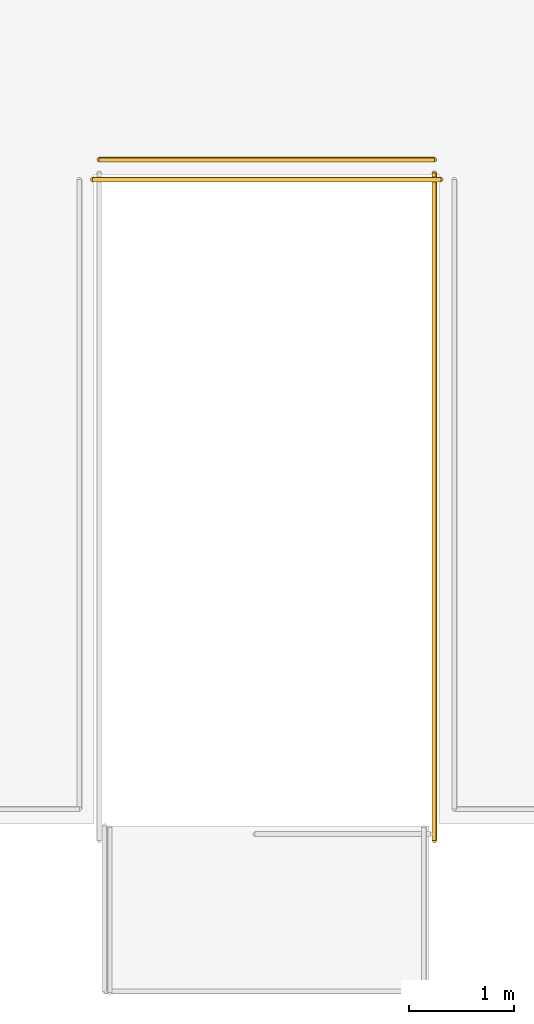
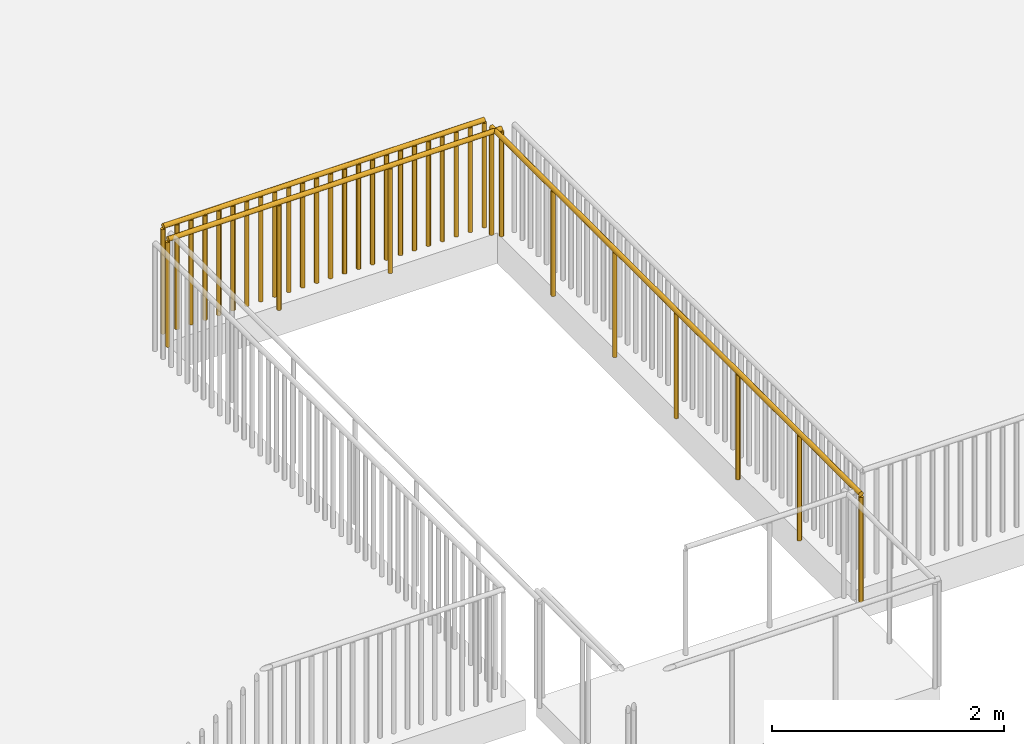
# One storey, part 30 of 42: 3 railings.
"""IFC4 building model written with IfcOpenShell, lengths in metres."""

from ifc_helpers import new_model, si_unit, direction, frame, origin, origin_2d, place, context, subcontext, project, spatial, circle, extrude, material, type_object, element, save


model = new_model("IFC4")

# Units and contexts
model_context = context("Model", 3, precision=1e-05, world=origin(), true_north=direction((0.0, 1.0)))
body_context = subcontext(model_context, "Body", "Model", "MODEL_VIEW")
ifc_project = project(units=[si_unit("LENGTHUNIT", "METRE"), si_unit("AREAUNIT", "SQUARE_METRE"), si_unit("VOLUMEUNIT", "CUBIC_METRE"), si_unit("PLANEANGLEUNIT", "RADIAN"), si_unit("MASSUNIT", "GRAM", prefix="KILO")], contexts=[model_context])

# Site, building, storey
site_placement = place(None, origin())
site = spatial("IfcSite", under=ifc_project, at=site_placement, CompositionType="ELEMENT")
building_placement = place(site_placement, origin())
building = spatial("IfcBuilding", under=site, at=building_placement, Name="Vanh Quang Courtyard School", CompositionType="ELEMENT")
storey_placement = place(building_placement, frame((0.0, 0.0, 15.0)))
storey = spatial("IfcBuildingStorey", under=building, at=storey_placement, Name="L04", CompositionType="ELEMENT", Elevation=15.0)

# Railings
ifc_material = material(Name="Galvanised painted steel EN 10025-2 S355J2", Category="steel")
railing_type = type_object("IfcRailingType", Name="RAIL-GUARD-1150", PredefinedType="BALUSTRADE", material=ifc_material)
railing_1_placement = place(storey_placement, frame((83.25, 38.739990234375, 0.0)))
element("IfcRailing", 1, at=railing_1_placement, inside=storey, type_object=railing_type, Name="Railing GR-01 (L04)", PredefinedType="BALUSTRADE", context=body_context, shape_type="SweptSolid", body=[
    extrude(circle(Radius=0.02392578125, at=origin_2d()), frame((0.0, 0.0, 1.1259765625), z_axis=(-1.0, 0.0, 0.0), x_axis=(0.0, -1.0, 0.0)), (0.0, 0.0, 1.0), 3.199951171875),
    extrude(circle(Radius=0.02099609375, at=origin_2d()), origin(), (0.0, 0.0, 1.0), 1.101806640625),
    extrude(circle(Radius=0.02099609375, at=origin_2d()), frame((-0.13916015625, 0.0, 0.0)), (0.0, 0.0, 1.0), 1.101806640625),
    extrude(circle(Radius=0.02099609375, at=origin_2d()), frame((-0.2783203125, 0.0, 0.0)), (0.0, 0.0, 1.0), 1.101806640625),
    extrude(circle(Radius=0.02099609375, at=origin_2d()), frame((-0.41748046875, 0.0, 0.0)), (0.0, 0.0, 1.0), 1.101806640625),
    extrude(circle(Radius=0.02099609375, at=origin_2d()), frame((-0.556396484375, 0.0, 0.0)), (0.0, 0.0, 1.0), 1.101806640625),
    extrude(circle(Radius=0.02099609375, at=origin_2d()), frame((-0.695556640625, 0.0, 0.0)), (0.0, 0.0, 1.0), 1.101806640625),
    extrude(circle(Radius=0.02099609375, at=origin_2d()), frame((-0.834716796875, 0.0, 0.0)), (0.0, 0.0, 1.0), 1.101806640625),
    extrude(circle(Radius=0.02099609375, at=origin_2d()), frame((-0.973876953125, 0.0, 0.0)), (0.0, 0.0, 1.0), 1.101806640625),
    extrude(circle(Radius=0.02099609375, at=origin_2d()), frame((-1.113037109375, 0.0, 0.0)), (0.0, 0.0, 1.0), 1.101806640625),
    extrude(circle(Radius=0.02099609375, at=origin_2d()), frame((-1.252197265625, 0.0, 0.0)), (0.0, 0.0, 1.0), 1.101806640625),
    extrude(circle(Radius=0.02099609375, at=origin_2d()), frame((-1.391357421875, 0.0, 0.0)), (0.0, 0.0, 1.0), 1.101806640625),
    extrude(circle(Radius=0.02099609375, at=origin_2d()), frame((-1.530517578125, 0.0, 0.0)), (0.0, 0.0, 1.0), 1.101806640625),
    extrude(circle(Radius=0.02099609375, at=origin_2d()), frame((-1.66943359375, 0.0, 0.0)), (0.0, 0.0, 1.0), 1.101806640625),
    extrude(circle(Radius=0.02099609375, at=origin_2d()), frame((-1.80859375, 0.0, 0.0)), (0.0, 0.0, 1.0), 1.101806640625),
    extrude(circle(Radius=0.02099609375, at=origin_2d()), frame((-1.94775390625, 0.0, 0.0)), (0.0, 0.0, 1.0), 1.101806640625),
    extrude(circle(Radius=0.02099609375, at=origin_2d()), frame((-2.0869140625, 0.0, 0.0)), (0.0, 0.0, 1.0), 1.101806640625),
    extrude(circle(Radius=0.02099609375, at=origin_2d()), frame((-2.22607421875, 0.0, 0.0)), (0.0, 0.0, 1.0), 1.101806640625),
    extrude(circle(Radius=0.02099609375, at=origin_2d()), frame((-2.365234375, 0.0, 0.0)), (0.0, 0.0, 1.0), 1.101806640625),
    extrude(circle(Radius=0.02099609375, at=origin_2d()), frame((-2.50439453125, 0.0, 0.0)), (0.0, 0.0, 1.0), 1.101806640625),
    extrude(circle(Radius=0.02099609375, at=origin_2d()), frame((-2.6435546875, 0.0, 0.0)), (0.0, 0.0, 1.0), 1.101806640625),
    extrude(circle(Radius=0.02099609375, at=origin_2d()), frame((-2.782470703125, 0.0, 0.0)), (0.0, 0.0, 1.0), 1.101806640625),
    extrude(circle(Radius=0.02099609375, at=origin_2d()), frame((-2.921630859375, 0.0, 0.0)), (0.0, 0.0, 1.0), 1.101806640625),
    extrude(circle(Radius=0.02099609375, at=origin_2d()), frame((-3.060791015625, 0.0, 0.0)), (0.0, 0.0, 1.0), 1.101806640625),
    extrude(circle(Radius=0.02099609375, at=origin_2d()), frame((-3.199951171875, 0.0, 0.0)), (0.0, 0.0, 1.0), 1.101806640625),
])
railing_2_placement = place(storey_placement, frame((83.25, 32.238037109375, 0.0)))
element("IfcRailing", 2, at=railing_2_placement, inside=storey, type_object=railing_type, Name="L04 ST-T4 top well guard 2", PredefinedType="BALUSTRADE", context=body_context, shape_type="SweptSolid", body=[
    extrude(circle(Radius=0.02392578125, at=origin_2d()), frame((0.0, 0.0, 1.1259765625), z_axis=(0.0, 1.0, 0.0), x_axis=(-1.0, 0.0, 0.0)), (0.0, 0.0, 1.0), 6.3740234375),
    extrude(circle(Radius=0.02099609375, at=origin_2d()), origin(), (0.0, 0.0, 1.0), 1.101806640625),
    extrude(circle(Radius=0.02099609375, at=origin_2d()), frame((0.0, 1.062255859375, 0.0)), (0.0, 0.0, 1.0), 1.101806640625),
    extrude(circle(Radius=0.02099609375, at=origin_2d()), frame((0.0, 2.124755859375, 0.0)), (0.0, 0.0, 1.0), 1.101806640625),
    extrude(circle(Radius=0.02099609375, at=origin_2d()), frame((0.0, 3.18701171875, 0.0)), (0.0, 0.0, 1.0), 1.101806640625),
    extrude(circle(Radius=0.02099609375, at=origin_2d()), frame((0.0, 4.249267578125, 0.0)), (0.0, 0.0, 1.0), 1.101806640625),
    extrude(circle(Radius=0.02099609375, at=origin_2d()), frame((0.0, 5.311767578125, 0.0)), (0.0, 0.0, 1.0), 1.101806640625),
    extrude(circle(Radius=0.02099609375, at=origin_2d()), frame((0.0, 6.3740234375, 0.0)), (0.0, 0.0, 1.0), 1.101806640625),
])
railing_3_placement = place(storey_placement, frame((83.31201171875, 38.550048828125, 0.0)))
element("IfcRailing", 3, at=railing_3_placement, inside=storey, type_object=railing_type, Name="L04 ST-T4 top well guard 4", PredefinedType="BALUSTRADE", context=body_context, shape_type="SweptSolid", body=[
    extrude(circle(Radius=0.02392578125, at=origin_2d()), frame((0.0, 0.0, 1.1259765625), z_axis=(-1.0, 0.0, 0.0), x_axis=(0.0, -1.0, 0.0)), (0.0, 0.0, 1.0), 3.323974609375),
    extrude(circle(Radius=0.02099609375, at=origin_2d()), origin(), (0.0, 0.0, 1.0), 1.101806640625),
    extrude(circle(Radius=0.02099609375, at=origin_2d()), frame((-1.10791015625, 0.0, 0.0)), (0.0, 0.0, 1.0), 1.101806640625),
    extrude(circle(Radius=0.02099609375, at=origin_2d()), frame((-2.216064453125, 0.0, 0.0)), (0.0, 0.0, 1.0), 1.101806640625),
    extrude(circle(Radius=0.02099609375, at=origin_2d()), frame((-3.323974609375, 0.0, 0.0)), (0.0, 0.0, 1.0), 1.101806640625),
])

save(model, "model.ifc")
